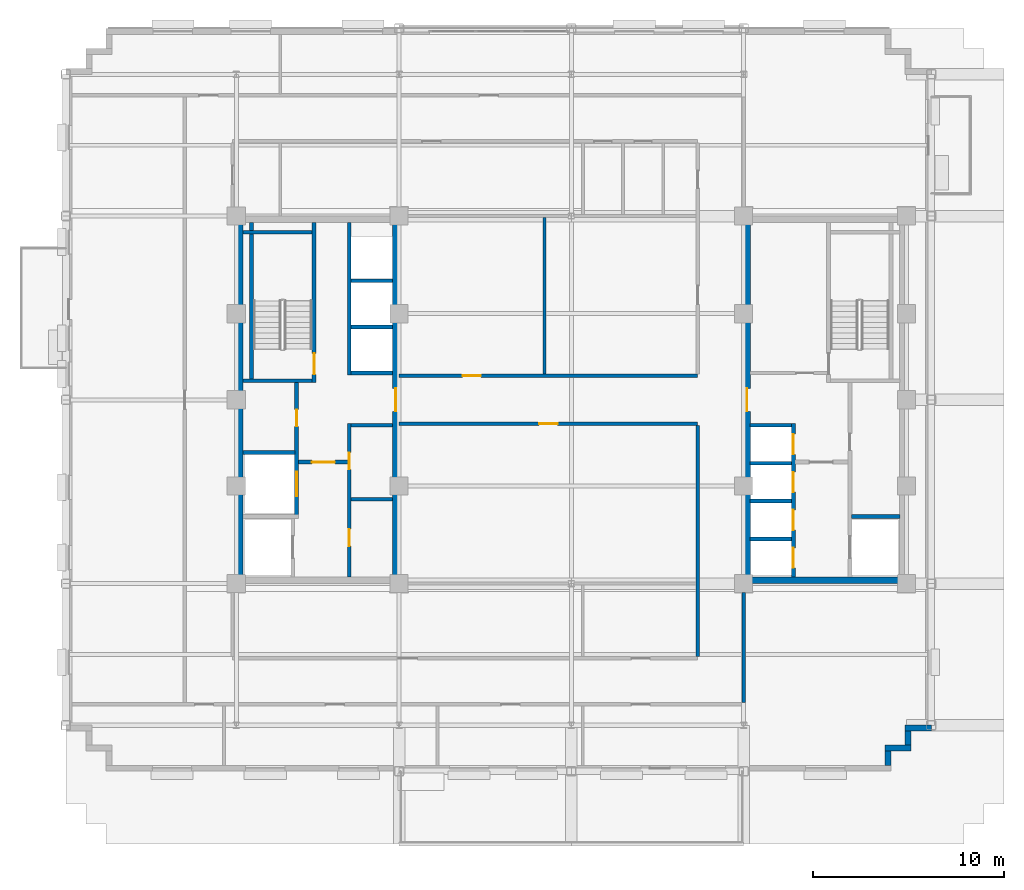
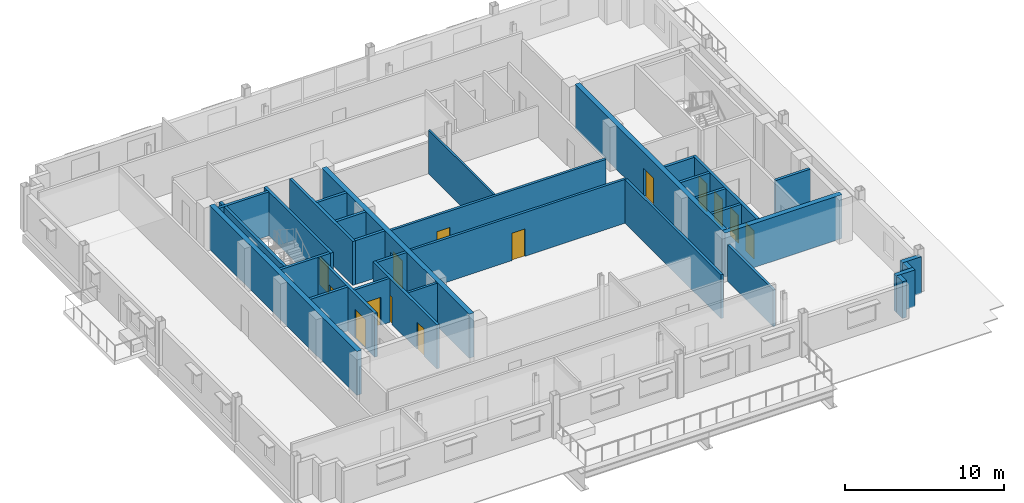
# One storey, part 8 of 16: 33 walls, 14 doors, 14 openings.
"""IFC4 building model written with IfcOpenShell, lengths in metres."""

from ifc_helpers import new_model, si_unit, direction, frame, frame_2d, origin, place, context, subcontext, project, spatial, rectangle, extrude, source, transform, mapped, material, layer, layer_set, type_object, type_shapes, element, fill, save


model = new_model("IFC4")

# Units and contexts
model_context = context("Model", 3, precision=1e-05, world=origin(), true_north=direction((0.0, 1.0)))
body_context = subcontext(model_context, "Body", "Model", "MODEL_VIEW")
ifc_project = project(units=[si_unit("LENGTHUNIT", "METRE"), si_unit("AREAUNIT", "SQUARE_METRE"), si_unit("VOLUMEUNIT", "CUBIC_METRE"), si_unit("PLANEANGLEUNIT", "RADIAN"), si_unit("MASSUNIT", "GRAM", prefix="KILO")], contexts=[model_context])

# Site, building, storey
site_placement = place(None, origin())
site = spatial("IfcSite", under=ifc_project, at=site_placement, CompositionType="ELEMENT")
building_placement = place(site_placement, origin())
building = spatial("IfcBuilding", under=site, at=building_placement, Name="Nuvemarco Arch Tower", CompositionType="ELEMENT")
storey_placement = place(building_placement, frame((0.0, 0.0, 209.14990234375)))
storey = spatial("IfcBuildingStorey", under=building, at=storey_placement, Name="L55", CompositionType="ELEMENT", Elevation=209.14990234375)

# Walls
ifc_material_1 = material(Name="Precast concrete C45/55", Category="concrete")
ifc_layer_1 = layer(ifc_material_1, 0.31005859375, Name="EW-UPP-310")
ifc_layer_set_1 = layer_set([ifc_layer_1], Name="Precast concrete C45/55")
wall_type_1 = type_object("IfcWallType", Name="EW-UPP-310", PredefinedType="STANDARD", material=ifc_layer_set_1)
wall_1_placement = place(storey_placement, frame((16.544921875, -19.093994140625, 0.0), z_axis=(0.0, 0.0, 1.0), x_axis=(0.0, 1.0, 0.0)))
element("IfcWall", 1, at=wall_1_placement, inside=storey, type_object=wall_type_1, Name="L55 exterior precast facade wall 2", PredefinedType="STANDARD", context=body_context, shape_type="SweptSolid", body=[
    extrude(rectangle(XDim=0.748046875, YDim=0.31005859375, at=frame_2d((0.3740234375, 0.0))), origin(), (0.0, 0.0, 1.0), 2.816162109375),
])
wall_2_placement = place(storey_placement, frame((16.389892578125, -18.195068359375, 0.0), z_axis=(0.0, 0.0, 1.0), x_axis=(1.0, 0.0, 0.0)))
element("IfcWall", 2, at=wall_2_placement, inside=storey, type_object=wall_type_1, Name="L55 exterior precast facade wall 3", PredefinedType="STANDARD", context=body_context, shape_type="SweptSolid", body=[
    extrude(rectangle(XDim=1.360107421875, YDim=0.31005859375, at=frame_2d((0.68017578125, 0.0))), origin(), (0.0, 0.0, 1.0), 2.816162109375),
])
wall_3_placement = place(storey_placement, frame((17.594970703125, -18.0439453125, 0.0), z_axis=(0.0, 0.0, 1.0), x_axis=(0.0, 1.0, 0.0)))
element("IfcWall", 3, at=wall_3_placement, inside=storey, type_object=wall_type_1, Name="L55 exterior precast facade wall 4", PredefinedType="STANDARD", context=body_context, shape_type="SweptSolid", body=[
    extrude(rectangle(XDim=0.748046875, YDim=0.31005859375, at=frame_2d((0.3740234375, 0.0))), origin(), (0.0, 0.0, 1.0), 2.816162109375),
])
wall_4_placement = place(storey_placement, frame((17.43994140625, -17.14501953125, 0.0), z_axis=(0.0, 0.0, 1.0), x_axis=(1.0, 0.0, 0.0)))
element("IfcWall", 4, at=wall_4_placement, inside=storey, type_object=wall_type_1, Name="L55 exterior precast facade wall 5", PredefinedType="STANDARD", context=body_context, shape_type="SweptSolid", body=[
    extrude(rectangle(XDim=1.360107421875, YDim=0.31005859375, at=frame_2d((0.68017578125, 0.0))), origin(), (0.0, 0.0, 1.0), 2.816162109375),
])
ifc_material_2 = material(Name="Concrete C50/60", Category="concrete")
ifc_layer_2 = layer(ifc_material_2, 0.35009765625, Name="WL-CORE-350")
ifc_layer_set_2 = layer_set([ifc_layer_2], Name="Concrete C50/60")
wall_type_2 = type_object("IfcWallType", Name="WL-CORE-350", PredefinedType="SHEAR", material=ifc_layer_set_2)
wall_5_placement = place(storey_placement, frame((-17.324951171875, -9.2548828125, 0.0), z_axis=(0.0, 0.0, 1.0), x_axis=(0.0, 1.0, 0.0)))
element("IfcWall", 5, at=wall_5_placement, inside=storey, type_object=wall_type_2, Name="L55 W-core shear wall W", PredefinedType="SHEAR", context=body_context, shape_type="SweptSolid", body=[
    extrude(rectangle(XDim=18.509765625, YDim=0.35009765625, at=frame_2d((9.2548828125, 0.0))), origin(), (0.0, 0.0, 1.0), 3.3701171875),
])

# Wall, opening, door
wall_6_placement = place(storey_placement, frame((-9.175048828125, -9.2548828125, 0.0), z_axis=(0.0, 0.0, 1.0), x_axis=(0.0, 1.0, 0.0)))
wall_6 = element("IfcWall", 6, at=wall_6_placement, inside=storey, type_object=wall_type_2, Name="L55 W-core shear wall E", PredefinedType="SHEAR", context=body_context, shape_type="SweptSolid", body=[
    extrude(rectangle(XDim=18.509765625, YDim=0.35009765625, at=frame_2d((9.2548828125, 0.0))), origin(), (0.0, 0.0, 1.0), 3.3701171875),
])
opening_1_placement = place(wall_6_placement, frame((8.655029296875, 0.0, 0.0)))
opening_1 = element("IfcOpeningElement", 7, at=opening_1_placement, cuts=wall_6, Name="Opening FD-2", PredefinedType="OPENING", context=body_context, shape_type="SweptSolid", body=[
    extrude(rectangle(XDim=1.199951171875, YDim=2.14990234375, at=frame_2d((0.60009765625, 1.074951171875))), frame((0.0, 0.18505859375, 0.0), z_axis=(0.0, -1.0, 0.0), x_axis=(1.0, 0.0, 0.0)), (0.0, 0.0, 1.0), 0.3701171875),
])
ifc_material_3 = material(Name="Anodised steel fire door", Category="steel")
door_type_1 = type_object("IfcDoorType", Name="DR-FFLOB-FD", OperationType="NOTDEFINED", PredefinedType="DOOR", material=ifc_material_3)
shared_shape_1 = source(origin(), body_context, "Body", "SweptSolid", [
    extrude(rectangle(XDim=1.199951171875, YDim=2.14990234375, at=frame_2d((0.60009765625, 1.074951171875))), frame((0.0, 0.02490234375, 0.0), z_axis=(0.0, -1.0, 0.0), x_axis=(1.0, 0.0, 0.0)), (0.0, 0.0, 1.0), 0.050048828125),
])
type_shapes(door_type_1, [shared_shape_1])
door_1_placement = place(opening_1_placement, origin())
door_1 = element("IfcDoor", 8, at=door_1_placement, inside=storey, type_object=door_type_1, Name="L55 door FD-L55-WCORE-E", OperationType="SINGLE_SWING_RIGHT", OverallHeight=2.14990234375, OverallWidth=1.199951171875, PredefinedType="DOOR", context=body_context, shape_type="MappedRepresentation", body=[
    mapped(shared_shape_1, transform((0.0, 0.0, 0.0), scale=1.0)),
])
fill(opening_1, door_1)

# Wall
wall_7_placement = place(storey_placement, frame((9.0, -9.425048828125, 0.0), z_axis=(0.0, 0.0, 1.0), x_axis=(1.0, 0.0, 0.0)))
element("IfcWall", 9, at=wall_7_placement, inside=storey, type_object=wall_type_2, Name="L55 E-core shear wall S", PredefinedType="SHEAR", context=body_context, shape_type="SweptSolid", body=[
    extrude(rectangle(XDim=8.5, YDim=0.35009765625, at=frame_2d((4.25, 0.0))), origin(), (0.0, 0.0, 1.0), 3.3701171875),
])

# Wall, opening, door
wall_8_placement = place(storey_placement, frame((9.175048828125, -9.2548828125, 0.0), z_axis=(0.0, 0.0, 1.0), x_axis=(0.0, 1.0, 0.0)))
wall_8 = element("IfcWall", 10, at=wall_8_placement, inside=storey, type_object=wall_type_2, Name="L55 E-core shear wall W", PredefinedType="SHEAR", context=body_context, shape_type="SweptSolid", body=[
    extrude(rectangle(XDim=18.509765625, YDim=0.35009765625, at=frame_2d((9.2548828125, 0.0))), origin(), (0.0, 0.0, 1.0), 3.3701171875),
])
opening_2_placement = place(wall_8_placement, frame((8.655029296875, 0.0, 0.0)))
opening_2 = element("IfcOpeningElement", 11, at=opening_2_placement, cuts=wall_8, Name="Opening FD-2", PredefinedType="OPENING", context=body_context, shape_type="SweptSolid", body=[
    extrude(rectangle(XDim=1.199951171875, YDim=2.14990234375, at=frame_2d((0.60009765625, 1.074951171875))), frame((0.0, 0.18505859375, 0.0), z_axis=(0.0, -1.0, 0.0), x_axis=(1.0, 0.0, 0.0)), (0.0, 0.0, 1.0), 0.3701171875),
])
door_2_placement = place(opening_2_placement, origin())
door_2 = element("IfcDoor", 12, at=door_2_placement, inside=storey, type_object=door_type_1, Name="L55 door FD-L55-ECORE-W", OperationType="SINGLE_SWING_LEFT", OverallHeight=2.14990234375, OverallWidth=1.199951171875, PredefinedType="DOOR", context=body_context, shape_type="MappedRepresentation", body=[
    mapped(shared_shape_1, transform((0.0, 0.0, 0.0), scale=1.0)),
])
fill(opening_2, door_2)

# Wall
ifc_material_4 = material(Name="Fire-rated gypsum drywall partition")
ifc_layer_3 = layer(ifc_material_4, 0.179931640625, Name="WL-CORR-180")
ifc_layer_set_3 = layer_set([ifc_layer_3], Name="Fire-rated gypsum drywall partition")
wall_type_3 = type_object("IfcWallType", Name="WL-CORR-180", PredefinedType="PARTITIONING", material=ifc_layer_set_3)
wall_9_placement = place(storey_placement, frame((-11.5048828125, -5.199951171875, 0.0), z_axis=(0.0, 0.0, 1.0), x_axis=(1.0, 0.0, 0.0)))
element("IfcWall", 13, at=wall_9_placement, inside=storey, type_object=wall_type_3, Name="L55 interior wall IW-L55-W-RECK1", PredefinedType="PARTITIONING", context=body_context, shape_type="SweptSolid", body=[
    extrude(rectangle(XDim=2.159912109375, YDim=0.179931640625, at=frame_2d((1.080078125, 0.0))), origin(), (0.0, 0.0, 1.0), 3.360107421875),
])

# Wall, opening, door
wall_10_placement = place(storey_placement, frame((-9.0, -1.25, 0.0), z_axis=(0.0, 0.0, 1.0), x_axis=(1.0, 0.0, 0.0)))
wall_10 = element("IfcWall", 14, at=wall_10_placement, inside=storey, type_object=wall_type_3, Name="L55 interior wall IW-L55-005", PredefinedType="PARTITIONING", context=body_context, shape_type="SweptSolid", body=[
    extrude(rectangle(XDim=15.60009765625, YDim=0.179931640625, at=frame_2d((7.800048828125, 0.0))), origin(), (0.0, 0.0, 1.0), 3.360107421875),
])
opening_3_placement = place(wall_10_placement, frame((7.320068359375, 0.0, 0.0)))
opening_3 = element("IfcOpeningElement", 15, at=opening_3_placement, cuts=wall_10, Name="Opening FD-5", PredefinedType="OPENING", context=body_context, shape_type="SweptSolid", body=[
    extrude(rectangle(XDim=0.9599609375, YDim=2.10009765625, at=frame_2d((0.47998046875, 1.050048828125))), frame((0.0, 0.099853515625, 0.0), z_axis=(0.0, -1.0, 0.0), x_axis=(1.0, 0.0, 0.0)), (0.0, 0.0, 1.0), 0.199951171875),
])
ifc_material_5 = material(Name="Timber fire door", Category="wood")
door_type_2 = type_object("IfcDoorType", Name="DR-CORR-FD", OperationType="NOTDEFINED", PredefinedType="DOOR", material=ifc_material_5)
shared_shape_2 = source(origin(), body_context, "Body", "SweptSolid", [
    extrude(rectangle(XDim=0.9599609375, YDim=2.10009765625, at=frame_2d((0.47998046875, 1.050048828125))), frame((0.0, 0.02490234375, 0.0), z_axis=(0.0, -1.0, 0.0), x_axis=(1.0, 0.0, 0.0)), (0.0, 0.0, 1.0), 0.050048828125),
])
type_shapes(door_type_2, [shared_shape_2])
door_3_placement = place(opening_3_placement, origin())
door_3 = element("IfcDoor", 16, at=door_3_placement, inside=storey, type_object=door_type_2, Name="L55 door DR-L55-C_S1", OperationType="SINGLE_SWING_LEFT", OverallHeight=2.10009765625, OverallWidth=0.9599609375, PredefinedType="DOOR", context=body_context, shape_type="MappedRepresentation", body=[
    mapped(shared_shape_2, transform((0.0, 0.0, 0.0), scale=1.0)),
])
fill(opening_3, door_3)

wall_11_placement = place(storey_placement, frame((-9.0, 1.25, 0.0), z_axis=(0.0, 0.0, 1.0), x_axis=(1.0, 0.0, 0.0)))
wall_11 = element("IfcWall", 17, at=wall_11_placement, inside=storey, type_object=wall_type_3, Name="L55 interior wall IW-L55-006", PredefinedType="PARTITIONING", context=body_context, shape_type="SweptSolid", body=[
    extrude(rectangle(XDim=15.60009765625, YDim=0.179931640625, at=frame_2d((7.800048828125, 0.0))), origin(), (0.0, 0.0, 1.0), 3.360107421875),
])
opening_4_placement = place(wall_11_placement, frame((3.320068359375, 0.0, 0.0)))
opening_4 = element("IfcOpeningElement", 18, at=opening_4_placement, cuts=wall_11, Name="Opening FD-5", PredefinedType="OPENING", context=body_context, shape_type="SweptSolid", body=[
    extrude(rectangle(XDim=0.9599609375, YDim=2.10009765625, at=frame_2d((0.47998046875, 1.050048828125))), frame((0.0, 0.099853515625, 0.0), z_axis=(0.0, -1.0, 0.0), x_axis=(1.0, 0.0, 0.0)), (0.0, 0.0, 1.0), 0.199951171875),
])
door_4_placement = place(opening_4_placement, origin())
door_4 = element("IfcDoor", 19, at=door_4_placement, inside=storey, type_object=door_type_2, Name="L55 door DR-L55-C_N1", OperationType="SINGLE_SWING_LEFT", OverallHeight=2.10009765625, OverallWidth=0.9599609375, PredefinedType="DOOR", context=body_context, shape_type="MappedRepresentation", body=[
    mapped(shared_shape_2, transform((0.0, 0.0, 0.0), scale=1.0)),
])
fill(opening_4, door_4)

# Walls
wall_12_placement = place(storey_placement, frame((6.60009765625, -13.4140625, 0.0), z_axis=(0.0, 0.0, 1.0), x_axis=(0.0, 1.0, 0.0)))
element("IfcWall", 20, at=wall_12_placement, inside=storey, type_object=wall_type_3, Name="L55 interior wall IW-L55-024", PredefinedType="PARTITIONING", context=body_context, shape_type="SweptSolid", body=[
    extrude(rectangle(XDim=12.078125, YDim=0.179931640625, at=frame_2d((6.0390625, 0.0))), origin(), (0.0, 0.0, 1.0), 3.360107421875),
])
wall_13_placement = place(storey_placement, frame((9.0, -15.81396484375, 0.0), z_axis=(0.0, 0.0, 1.0), x_axis=(0.0, 1.0, 0.0)))
element("IfcWall", 21, at=wall_13_placement, inside=storey, type_object=wall_type_3, Name="L55 interior wall IW-L55-026", PredefinedType="PARTITIONING", context=body_context, shape_type="SweptSolid", body=[
    extrude(rectangle(XDim=5.742919921875, YDim=0.179931640625, at=frame_2d((2.87158203125, 0.0))), origin(), (0.0, 0.0, 1.0), 2.816162109375),
])
ifc_material_6 = material(Name="Gypsum plasterboard partition")
ifc_layer_4 = layer(ifc_material_6, 0.139892578125, Name="WL-ROOM-140")
ifc_layer_set_4 = layer_set([ifc_layer_4], Name="Gypsum plasterboard partition")
wall_type_4 = type_object("IfcWallType", Name="WL-ROOM-140", PredefinedType="PARTITIONING", material=ifc_layer_set_4)
wall_14_placement = place(storey_placement, frame((-1.39990234375, 1.3359375, 0.0), z_axis=(0.0, 0.0, 1.0), x_axis=(0.0, 1.0, 0.0)))
element("IfcWall", 22, at=wall_14_placement, inside=storey, type_object=wall_type_4, Name="L55 interior wall IW-L55-018", PredefinedType="PARTITIONING", context=body_context, shape_type="SweptSolid", body=[
    extrude(rectangle(XDim=8.193115234375, YDim=0.139892578125, at=frame_2d((4.0966796875, 0.0))), origin(), (0.0, 0.0, 1.0), 3.360107421875),
])

# Wall, opening, door
ifc_layer_5 = layer(ifc_material_2, 0.199951171875, Name="WL-SHAFT-220")
ifc_layer_set_5 = layer_set([ifc_layer_5], Name="Concrete C50/60")
wall_type_5 = type_object("IfcWallType", Name="WL-SHAFT-220", PredefinedType="SHEAR", material=ifc_layer_set_5)
wall_15_placement = place(storey_placement, frame((-13.43994140625, 0.89990234375, 0.0), z_axis=(0.0, 0.0, 1.0), x_axis=(0.0, 1.0, 0.0)))
wall_15 = element("IfcWall", 23, at=wall_15_placement, inside=storey, type_object=wall_type_5, Name="L55 structural shaft wall SW-L55-W-ST1E", PredefinedType="SHEAR", context=body_context, shape_type="SweptSolid", body=[
    extrude(rectangle(XDim=8.35498046875, YDim=0.199951171875, at=frame_2d((4.177490234375, 0.0))), origin(), (0.0, 0.0, 1.0), 3.3701171875),
])
opening_5_placement = place(wall_15_placement, frame((1.530029296875, 0.0, 0.0), z_axis=(0.0, 0.0, 1.0), x_axis=(-1.0, 0.0, 0.0)))
opening_5 = element("IfcOpeningElement", 24, at=opening_5_placement, cuts=wall_15, Name="Opening FD-1", PredefinedType="OPENING", context=body_context, shape_type="SweptSolid", body=[
    extrude(rectangle(XDim=1.10009765625, YDim=2.14990234375, at=frame_2d((0.550048828125, 1.074951171875))), frame((0.0, 0.10986328125, 0.0), z_axis=(0.0, -1.0, 0.0), x_axis=(1.0, 0.0, 0.0)), (0.0, 0.0, 1.0), 0.219970703125),
])
door_type_3 = type_object("IfcDoorType", Name="DR-STAIR-FD", OperationType="NOTDEFINED", PredefinedType="DOOR", material=ifc_material_3)
shared_shape_3 = source(origin(), body_context, "Body", "SweptSolid", [
    extrude(rectangle(XDim=1.10009765625, YDim=2.14990234375, at=frame_2d((0.550048828125, 1.074951171875))), frame((0.0, 0.02490234375, 0.0), z_axis=(0.0, -1.0, 0.0), x_axis=(1.0, 0.0, 0.0)), (0.0, 0.0, 1.0), 0.050048828125),
])
type_shapes(door_type_3, [shared_shape_3])
door_5_placement = place(opening_5_placement, origin())
door_5 = element("IfcDoor", 25, at=door_5_placement, inside=storey, type_object=door_type_3, Name="L55 door FD-L55-ST1", OperationType="SINGLE_SWING_RIGHT", OverallHeight=2.14990234375, OverallWidth=1.10009765625, PredefinedType="DOOR", context=body_context, shape_type="MappedRepresentation", body=[
    mapped(shared_shape_3, transform((0.0, 0.0, 0.0), scale=1.0)),
])
fill(opening_5, door_5)

# Walls
for number, where, z_axis, x_axis, name in (
    (26, (-17.155029296875, 1.0, 0.0), (0.0, 0.0, 1.0), (1.0, 0.0, 0.0), "L55 structural shaft wall SW-L55-W-ST1S"),
    (27, (-17.155029296875, 8.75, 0.0), (0.0, 0.0, 1.0), (1.0, 0.0, 0.0), "L55 structural shaft wall SW-L55-W-ST1N"),
):
    element("IfcWall", number, at=place(storey_placement, frame(where, z_axis=z_axis, x_axis=x_axis)), inside=storey, type_object=wall_type_5, Name=name, PredefinedType="SHEAR", context=body_context, shape_type="SweptSolid", body=[
        extrude(rectangle(XDim=3.6201171875, YDim=0.199951171875, at=frame_2d((1.81005859375, 0.0))), origin(), (0.0, 0.0, 1.0), 3.3701171875),
    ])
wall_16_placement = place(storey_placement, frame((-16.699951171875, 1.094970703125, 0.0), z_axis=(0.0, 0.0, 1.0), x_axis=(0.0, 1.0, 0.0)))
element("IfcWall", 28, at=wall_16_placement, inside=storey, type_object=wall_type_5, Name="L55 structural shaft wall SW-L55-W-ST1W", PredefinedType="SHEAR", context=body_context, shape_type="SweptSolid", body=[
    extrude(rectangle(XDim=8.159912109375, YDim=0.199951171875, at=frame_2d((4.080078125, 0.0))), origin(), (0.0, 0.0, 1.0), 3.3701171875),
])

# Wall, openings, doors
wall_17_placement = place(storey_placement, frame((-14.35009765625, -6.199951171875, 0.0), z_axis=(0.0, 0.0, 1.0), x_axis=(0.0, 1.0, 0.0)))
wall_17 = element("IfcWall", 29, at=wall_17_placement, inside=storey, type_object=wall_type_5, Name="L55 structural shaft wall SW-L55-W-SVE", PredefinedType="SHEAR", context=body_context, shape_type="SweptSolid", body=[
    extrude(rectangle(XDim=7.10498046875, YDim=0.199951171875, at=frame_2d((3.552490234375, 0.0))), origin(), (0.0, 0.0, 1.0), 3.3701171875),
])
opening_6_placement = place(wall_17_placement, frame((5.68994140625, 0.0, 0.0), z_axis=(0.0, 0.0, 1.0), x_axis=(-1.0, 0.0, 0.0)))
opening_6 = element("IfcOpeningElement", 30, at=opening_6_placement, cuts=wall_17, Name="Opening FD-4", PredefinedType="OPENING", context=body_context, shape_type="SweptSolid", body=[
    extrude(rectangle(XDim=0.8798828125, YDim=2.10009765625, at=frame_2d((0.43994140625, 1.050048828125))), frame((0.0, 0.10986328125, 0.0), z_axis=(0.0, -1.0, 0.0), x_axis=(1.0, 0.0, 0.0)), (0.0, 0.0, 1.0), 0.219970703125),
])
opening_7_placement = place(wall_17_placement, frame((1.14990234375, 0.0, 0.0)))
opening_7 = element("IfcOpeningElement", 31, at=opening_7_placement, cuts=wall_17, Name="Opening LD-3", PredefinedType="OPENING", context=body_context, shape_type="SweptSolid", body=[
    extrude(rectangle(XDim=1.300048828125, YDim=2.199951171875, at=frame_2d((0.64990234375, 1.10009765625))), frame((0.0, 0.10986328125, 0.0), z_axis=(0.0, -1.0, 0.0), x_axis=(1.0, 0.0, 0.0)), (0.0, 0.0, 1.0), 0.219970703125),
])
door_type_4 = type_object("IfcDoorType", Name="DR-RISER-FD", OperationType="NOTDEFINED", PredefinedType="DOOR", material=ifc_material_3)
shared_shape_4 = source(origin(), body_context, "Body", "SweptSolid", [
    extrude(rectangle(XDim=0.8798828125, YDim=2.10009765625, at=frame_2d((0.43994140625, 1.050048828125))), frame((0.0, 0.02490234375, 0.0), z_axis=(0.0, -1.0, 0.0), x_axis=(1.0, 0.0, 0.0)), (0.0, 0.0, 1.0), 0.050048828125),
])
type_shapes(door_type_4, [shared_shape_4])
door_6_placement = place(opening_6_placement, origin())
door_6 = element("IfcDoor", 32, at=door_6_placement, inside=storey, type_object=door_type_4, Name="L55 door FD-L55-WRIS", OperationType="SINGLE_SWING_RIGHT", OverallHeight=2.10009765625, OverallWidth=0.8798828125, PredefinedType="DOOR", context=body_context, shape_type="MappedRepresentation", body=[
    mapped(shared_shape_4, transform((0.0, 0.0, 0.0), scale=1.0)),
])
fill(opening_6, door_6)
ifc_material_7 = material(Name="Stainless steel lift door", Category="steel")
door_type_5 = type_object("IfcDoorType", Name="DR-LIFT-SERV", OperationType="DOUBLE_DOOR_SLIDING", PredefinedType="DOOR", material=ifc_material_7)
shared_shape_5 = source(origin(), body_context, "Body", "SweptSolid", [
    extrude(rectangle(XDim=1.300048828125, YDim=2.199951171875, at=frame_2d((0.64990234375, 1.10009765625))), frame((0.0, 0.02490234375, 0.0), z_axis=(0.0, -1.0, 0.0), x_axis=(1.0, 0.0, 0.0)), (0.0, 0.0, 1.0), 0.050048828125),
])
type_shapes(door_type_5, [shared_shape_5])
door_7_placement = place(opening_7_placement, origin())
door_7 = element("IfcDoor", 33, at=door_7_placement, inside=storey, type_object=door_type_5, Name="L55 Lift landing sliding door SVL-1", OperationType="DOUBLE_DOOR_SLIDING", OverallHeight=2.199951171875, OverallWidth=1.300048828125, PredefinedType="DOOR", context=body_context, shape_type="MappedRepresentation", body=[
    mapped(shared_shape_5, transform((0.0, 0.0, 0.0), scale=1.0)),
])
fill(opening_7, door_7)

# Wall
wall_18_placement = place(storey_placement, frame((-17.155029296875, -2.75, 0.0), z_axis=(0.0, 0.0, 1.0), x_axis=(1.0, 0.0, 0.0)))
element("IfcWall", 34, at=wall_18_placement, inside=storey, type_object=wall_type_5, Name="L55 structural shaft wall SW-L55-W-SH2", PredefinedType="SHEAR", context=body_context, shape_type="SweptSolid", body=[
    extrude(rectangle(XDim=2.7099609375, YDim=0.199951171875, at=frame_2d((1.35498046875, 0.0))), origin(), (0.0, 0.0, 1.0), 3.3701171875),
])

# Wall, openings, doors
wall_19_placement = place(storey_placement, frame((-11.60009765625, -9.2548828125, 0.0), z_axis=(0.0, 0.0, 1.0), x_axis=(0.0, 1.0, 0.0)))
wall_19 = element("IfcWall", 35, at=wall_19_placement, inside=storey, type_object=wall_type_5, Name="L55 structural shaft wall SW-L55-W-PLW", PredefinedType="SHEAR", context=body_context, shape_type="SweptSolid", body=[
    extrude(rectangle(XDim=8.02490234375, YDim=0.199951171875, at=frame_2d((4.012451171875, 0.0))), origin(), (0.0, 0.0, 1.0), 3.3701171875),
])
opening_8_placement = place(wall_19_placement, frame((1.614990234375, 0.0, 0.0)))
opening_8 = element("IfcOpeningElement", 36, at=opening_8_placement, cuts=wall_19, Name="Opening FD-4", PredefinedType="OPENING", context=body_context, shape_type="SweptSolid", body=[
    extrude(rectangle(XDim=0.8798828125, YDim=2.10009765625, at=frame_2d((0.43994140625, 1.050048828125))), frame((0.0, 0.10986328125, 0.0), z_axis=(0.0, -1.0, 0.0), x_axis=(1.0, 0.0, 0.0)), (0.0, 0.0, 1.0), 0.219970703125),
])
opening_9_placement = place(wall_19_placement, frame((5.614990234375, 0.0, 0.0)))
opening_9 = element("IfcOpeningElement", 37, at=opening_9_placement, cuts=wall_19, Name="Opening FD-4", PredefinedType="OPENING", context=body_context, shape_type="SweptSolid", body=[
    extrude(rectangle(XDim=0.8798828125, YDim=2.10009765625, at=frame_2d((0.43994140625, 1.050048828125))), frame((0.0, 0.10986328125, 0.0), z_axis=(0.0, -1.0, 0.0), x_axis=(1.0, 0.0, 0.0)), (0.0, 0.0, 1.0), 0.219970703125),
])
door_8_placement = place(opening_8_placement, origin())
door_8 = element("IfcDoor", 38, at=door_8_placement, inside=storey, type_object=door_type_4, Name="L55 door FD-L55-WREC1", OperationType="SINGLE_SWING_RIGHT", OverallHeight=2.10009765625, OverallWidth=0.8798828125, PredefinedType="DOOR", context=body_context, shape_type="MappedRepresentation", body=[
    mapped(shared_shape_4, transform((0.0, 0.0, 0.0), scale=1.0)),
])
fill(opening_8, door_8)
door_9_placement = place(opening_9_placement, origin())
door_9 = element("IfcDoor", 39, at=door_9_placement, inside=storey, type_object=door_type_4, Name="L55 door FD-L55-WREC2", OperationType="SINGLE_SWING_LEFT", OverallHeight=2.10009765625, OverallWidth=0.8798828125, PredefinedType="DOOR", context=body_context, shape_type="MappedRepresentation", body=[
    mapped(shared_shape_4, transform((0.0, 0.0, 0.0), scale=1.0)),
])
fill(opening_9, door_9)

# Wall, opening, door
wall_20_placement = place(storey_placement, frame((-14.2548828125, -3.25, 0.0), z_axis=(0.0, 0.0, 1.0), x_axis=(1.0, 0.0, 0.0)))
wall_20 = element("IfcWall", 40, at=wall_20_placement, inside=storey, type_object=wall_type_5, Name="L55 structural shaft wall SW-L55-W-FFN", PredefinedType="SHEAR", context=body_context, shape_type="SweptSolid", body=[
    extrude(rectangle(XDim=2.559814453125, YDim=0.199951171875, at=frame_2d((1.27978515625, 0.0))), origin(), (0.0, 0.0, 1.0), 3.3701171875),
])
opening_10_placement = place(wall_20_placement, frame((0.705078125, 0.0, 0.0)))
opening_10 = element("IfcOpeningElement", 41, at=opening_10_placement, cuts=wall_20, Name="Opening FD-2", PredefinedType="OPENING", context=body_context, shape_type="SweptSolid", body=[
    extrude(rectangle(XDim=1.199951171875, YDim=2.14990234375, at=frame_2d((0.60009765625, 1.074951171875))), frame((0.0, 0.10986328125, 0.0), z_axis=(0.0, -1.0, 0.0), x_axis=(1.0, 0.0, 0.0)), (0.0, 0.0, 1.0), 0.219970703125),
])
door_10_placement = place(opening_10_placement, origin())
door_10 = element("IfcDoor", 42, at=door_10_placement, inside=storey, type_object=door_type_1, Name="L55 door FD-L55-WFF1", OperationType="SINGLE_SWING_RIGHT", OverallHeight=2.14990234375, OverallWidth=1.199951171875, PredefinedType="DOOR", context=body_context, shape_type="MappedRepresentation", body=[
    mapped(shared_shape_1, transform((0.0, 0.0, 0.0), scale=1.0)),
])
fill(opening_10, door_10)

# Walls
wall_21_placement = place(storey_placement, frame((-11.5048828125, -1.330078125, 0.0), z_axis=(0.0, 0.0, 1.0), x_axis=(1.0, 0.0, 0.0)))
element("IfcWall", 43, at=wall_21_placement, inside=storey, type_object=wall_type_5, Name="L55 structural shaft wall SW-L55-W-PLTOP", PredefinedType="SHEAR", context=body_context, shape_type="SweptSolid", body=[
    extrude(rectangle(XDim=2.159912109375, YDim=0.199951171875, at=frame_2d((1.080078125, 0.0))), origin(), (0.0, 0.0, 1.0), 3.3701171875),
])
wall_22_placement = place(storey_placement, frame((-11.60009765625, 1.300048828125, 0.0), z_axis=(0.0, 0.0, 1.0), x_axis=(0.0, 1.0, 0.0)))
element("IfcWall", 44, at=wall_22_placement, inside=storey, type_object=wall_type_5, Name="L55 structural shaft wall SW-L55-W-PHW", PredefinedType="SHEAR", context=body_context, shape_type="SweptSolid", body=[
    extrude(rectangle(XDim=7.954833984375, YDim=0.199951171875, at=frame_2d((3.9775390625, 0.0))), origin(), (0.0, 0.0, 1.0), 3.3701171875),
])
for number, where, z_axis, x_axis, name in (
    (45, (-11.5048828125, 1.39990234375, 0.0), (0.0, 0.0, 1.0), (1.0, 0.0, 0.0), "L55 structural shaft wall SW-L55-W-PHD1"),
    (46, (-11.5048828125, 3.800048828125, 0.0), (0.0, 0.0, 1.0), (1.0, 0.0, 0.0), "L55 structural shaft wall SW-L55-W-PHD2"),
    (47, (-11.5048828125, 6.219970703125, 0.0), (0.0, 0.0, 1.0), (1.0, 0.0, 0.0), "L55 structural shaft wall SW-L55-W-PHD3"),
):
    element("IfcWall", number, at=place(storey_placement, frame(where, z_axis=z_axis, x_axis=x_axis)), inside=storey, type_object=wall_type_5, Name=name, PredefinedType="SHEAR", context=body_context, shape_type="SweptSolid", body=[
        extrude(rectangle(XDim=2.159912109375, YDim=0.199951171875, at=frame_2d((1.080078125, 0.0))), origin(), (0.0, 0.0, 1.0), 3.3701171875),
    ])
wall_23_placement = place(storey_placement, frame((14.64501953125, -6.10009765625, 0.0), z_axis=(0.0, 0.0, 1.0), x_axis=(1.0, 0.0, 0.0)))
element("IfcWall", 48, at=wall_23_placement, inside=storey, type_object=wall_type_5, Name="L55 structural shaft wall SW-L55-E-SH1", PredefinedType="SHEAR", context=body_context, shape_type="SweptSolid", body=[
    extrude(rectangle(XDim=2.510009765625, YDim=0.199951171875, at=frame_2d((1.2548828125, 0.0))), origin(), (0.0, 0.0, 1.0), 3.3701171875),
])

# Wall, openings, doors
wall_24_placement = place(storey_placement, frame((11.60009765625, -9.2548828125, 0.0), z_axis=(0.0, 0.0, 1.0), x_axis=(0.0, 1.0, 0.0)))
wall_24 = element("IfcWall", 49, at=wall_24_placement, inside=storey, type_object=wall_type_5, Name="L55 structural shaft wall SW-L55-E-PME", PredefinedType="SHEAR", context=body_context, shape_type="SweptSolid", body=[
    extrude(rectangle(XDim=8.02490234375, YDim=0.199951171875, at=frame_2d((4.012451171875, 0.0))), origin(), (0.0, 0.0, 1.0), 3.3701171875),
])
opening_11_placement = place(wall_24_placement, frame((0.469970703125, 0.0, 0.0)))
opening_11 = element("IfcOpeningElement", 50, at=opening_11_placement, cuts=wall_24, Name="Opening LD-1", PredefinedType="OPENING", context=body_context, shape_type="SweptSolid", body=[
    extrude(rectangle(XDim=1.050048828125, YDim=2.14990234375, at=frame_2d((0.52490234375, 1.074951171875))), frame((0.0, 0.10986328125, 0.0), z_axis=(0.0, -1.0, 0.0), x_axis=(1.0, 0.0, 0.0)), (0.0, 0.0, 1.0), 0.219970703125),
])
opening_12_placement = place(wall_24_placement, frame((2.449951171875, 0.0, 0.0)))
opening_12 = element("IfcOpeningElement", 51, at=opening_12_placement, cuts=wall_24, Name="Opening LD-1", PredefinedType="OPENING", context=body_context, shape_type="SweptSolid", body=[
    extrude(rectangle(XDim=1.050048828125, YDim=2.14990234375, at=frame_2d((0.52490234375, 1.074951171875))), frame((0.0, 0.10986328125, 0.0), z_axis=(0.0, -1.0, 0.0), x_axis=(1.0, 0.0, 0.0)), (0.0, 0.0, 1.0), 0.219970703125),
])
opening_13_placement = place(wall_24_placement, frame((4.429931640625, 0.0, 0.0)))
opening_13 = element("IfcOpeningElement", 52, at=opening_13_placement, cuts=wall_24, Name="Opening LD-1", PredefinedType="OPENING", context=body_context, shape_type="SweptSolid", body=[
    extrude(rectangle(XDim=1.050048828125, YDim=2.14990234375, at=frame_2d((0.52490234375, 1.074951171875))), frame((0.0, 0.10986328125, 0.0), z_axis=(0.0, -1.0, 0.0), x_axis=(1.0, 0.0, 0.0)), (0.0, 0.0, 1.0), 0.219970703125),
])
opening_14_placement = place(wall_24_placement, frame((6.409912109375, 0.0, 0.0)))
opening_14 = element("IfcOpeningElement", 53, at=opening_14_placement, cuts=wall_24, Name="Opening LD-1", PredefinedType="OPENING", context=body_context, shape_type="SweptSolid", body=[
    extrude(rectangle(XDim=1.050048828125, YDim=2.14990234375, at=frame_2d((0.52490234375, 1.074951171875))), frame((0.0, 0.10986328125, 0.0), z_axis=(0.0, -1.0, 0.0), x_axis=(1.0, 0.0, 0.0)), (0.0, 0.0, 1.0), 0.219970703125),
])
door_type_6 = type_object("IfcDoorType", Name="DR-LIFT-PASS", OperationType="DOUBLE_DOOR_SLIDING", PredefinedType="DOOR", material=ifc_material_7)
shared_shape_6 = source(origin(), body_context, "Body", "SweptSolid", [
    extrude(rectangle(XDim=1.050048828125, YDim=2.14990234375, at=frame_2d((0.52490234375, 1.074951171875))), frame((0.0, 0.02490234375, 0.0), z_axis=(0.0, -1.0, 0.0), x_axis=(1.0, 0.0, 0.0)), (0.0, 0.0, 1.0), 0.050048828125),
])
type_shapes(door_type_6, [shared_shape_6])
door_11_placement = place(opening_11_placement, origin())
door_11 = element("IfcDoor", 54, at=door_11_placement, inside=storey, type_object=door_type_6, Name="L55 Lift landing sliding door PM-1", OperationType="DOUBLE_DOOR_SLIDING", OverallHeight=2.14990234375, OverallWidth=1.050048828125, PredefinedType="DOOR", context=body_context, shape_type="MappedRepresentation", body=[
    mapped(shared_shape_6, transform((0.0, 0.0, 0.0), scale=1.0)),
])
fill(opening_11, door_11)
door_12_placement = place(opening_12_placement, origin())
door_12 = element("IfcDoor", 55, at=door_12_placement, inside=storey, type_object=door_type_6, Name="L55 Lift landing sliding door PM-2", OperationType="DOUBLE_DOOR_SLIDING", OverallHeight=2.14990234375, OverallWidth=1.050048828125, PredefinedType="DOOR", context=body_context, shape_type="MappedRepresentation", body=[
    mapped(shared_shape_6, transform((0.0, 0.0, 0.0), scale=1.0)),
])
fill(opening_12, door_12)
door_13_placement = place(opening_13_placement, origin())
door_13 = element("IfcDoor", 56, at=door_13_placement, inside=storey, type_object=door_type_6, Name="L55 Lift landing sliding door PM-3", OperationType="DOUBLE_DOOR_SLIDING", OverallHeight=2.14990234375, OverallWidth=1.050048828125, PredefinedType="DOOR", context=body_context, shape_type="MappedRepresentation", body=[
    mapped(shared_shape_6, transform((0.0, 0.0, 0.0), scale=1.0)),
])
fill(opening_13, door_13)
door_14_placement = place(opening_14_placement, origin())
door_14 = element("IfcDoor", 57, at=door_14_placement, inside=storey, type_object=door_type_6, Name="L55 Lift landing sliding door PM-4", OperationType="DOUBLE_DOOR_SLIDING", OverallHeight=2.14990234375, OverallWidth=1.050048828125, PredefinedType="DOOR", context=body_context, shape_type="MappedRepresentation", body=[
    mapped(shared_shape_6, transform((0.0, 0.0, 0.0), scale=1.0)),
])
fill(opening_14, door_14)

# Walls
for number, where, z_axis, x_axis, name in (
    (58, (9.344970703125, -7.27001953125, 0.0), (0.0, 0.0, 1.0), (1.0, 0.0, 0.0), "L55 structural shaft wall SW-L55-E-PMD1"),
    (59, (9.344970703125, -5.2900390625, 0.0), (0.0, 0.0, 1.0), (1.0, 0.0, 0.0), "L55 structural shaft wall SW-L55-E-PMD2"),
    (60, (9.344970703125, -3.31005859375, 0.0), (0.0, 0.0, 1.0), (1.0, 0.0, 0.0), "L55 structural shaft wall SW-L55-E-PMD3"),
    (61, (9.344970703125, -1.330078125, 0.0), (0.0, 0.0, 1.0), (1.0, 0.0, 0.0), "L55 structural shaft wall SW-L55-E-PMD4"),
):
    element("IfcWall", number, at=place(storey_placement, frame(where, z_axis=z_axis, x_axis=x_axis)), inside=storey, type_object=wall_type_5, Name=name, PredefinedType="SHEAR", context=body_context, shape_type="SweptSolid", body=[
        extrude(rectangle(XDim=2.159912109375, YDim=0.199951171875, at=frame_2d((1.080078125, 0.0))), origin(), (0.0, 0.0, 1.0), 3.3701171875),
    ])

save(model, "model.ifc")
